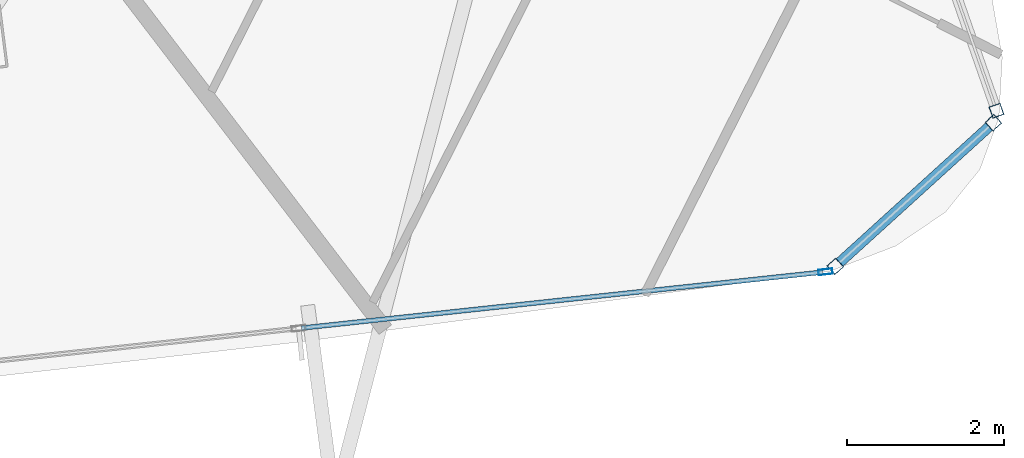
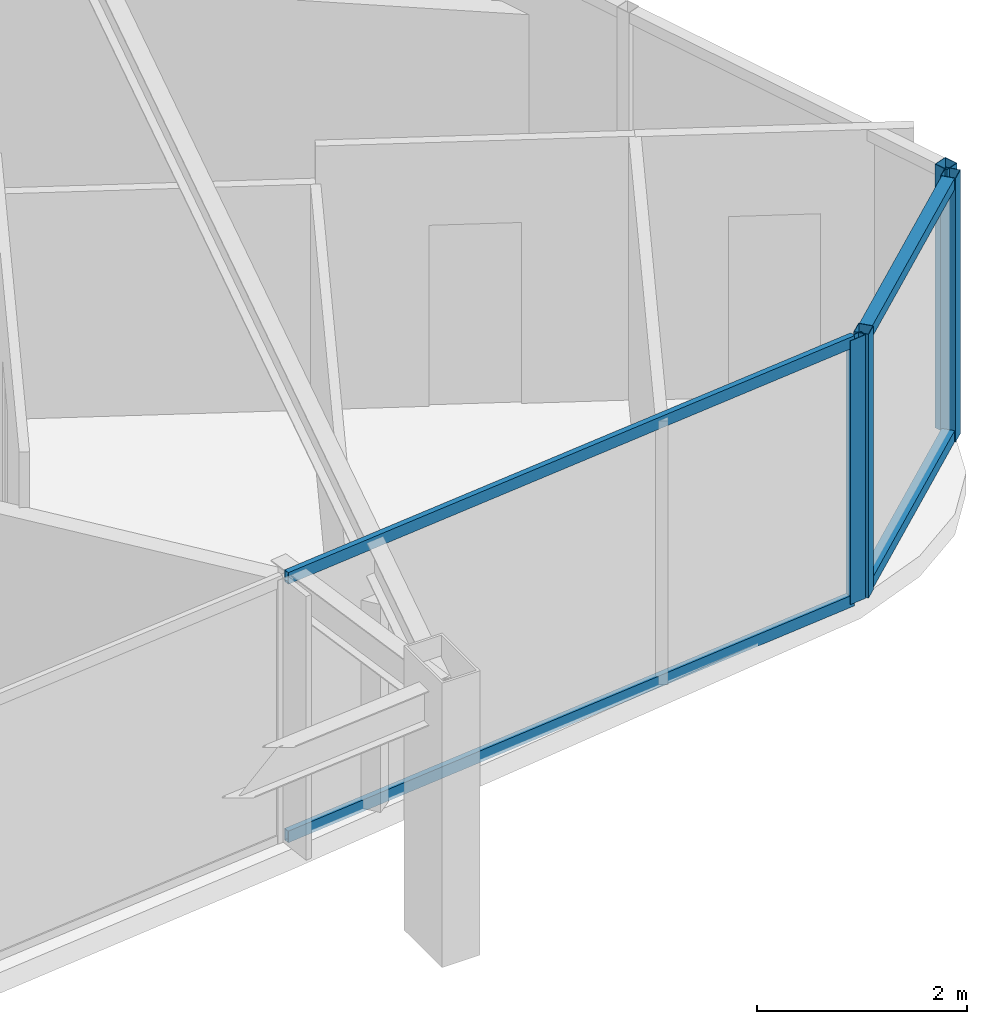
# One storey, part 15 of 35: 8 members, 3 elements without a shape of their own.
"""IFC4 building model written with IfcOpenShell, lengths in metres."""

from ifc_helpers import new_model, si_unit, direction, frame, origin, origin_2d, place, context, subcontext, project, spatial, hollow_rectangle, extrude, material, layer, layer_set, material_profile, profile_set, type_object, element, aggregate, save


model = new_model("IFC4")

# Units and contexts
model_context = context("Model", 3, precision=1e-05, world=origin(), true_north=direction((0.0, 1.0)))
body_context = subcontext(model_context, "Body", "Model", "MODEL_VIEW")
ifc_project = project(units=[si_unit("LENGTHUNIT", "METRE"), si_unit("AREAUNIT", "SQUARE_METRE"), si_unit("VOLUMEUNIT", "CUBIC_METRE"), si_unit("PLANEANGLEUNIT", "RADIAN"), si_unit("MASSUNIT", "GRAM", prefix="KILO")], contexts=[model_context])

# Site, building, storey
site_placement = place(None, origin())
site = spatial("IfcSite", under=ifc_project, at=site_placement, CompositionType="ELEMENT")
building_placement = place(site_placement, origin())
building = spatial("IfcBuilding", under=site, at=building_placement, Name="Orvanel Arch Residences", CompositionType="ELEMENT")
storey_placement = place(building_placement, frame((0.0, 0.0, 26.89990234375)))
storey = spatial("IfcBuildingStorey", under=building, at=storey_placement, Name="L06", CompositionType="ELEMENT", Elevation=26.89990234375)

# Curtain wall, members
ifc_material = material(Name="Bronze-anodised aluminium AA6063-T6", Category="aluminium")
ifc_layer_1 = layer(ifc_material, 0.18994140625)
ifc_layer_set_1 = layer_set([ifc_layer_1], Name="Bronze-anodised aluminium AA6063-T6")
curtain_wall_type_1 = type_object("IfcCurtainWallType", Name="CW5-CRN-SYS", PredefinedType="NOTDEFINED", material=ifc_layer_set_1)
curtain_wall_1_placement = place(storey_placement, origin())
curtain_wall_1 = element("IfcCurtainWall", 1, at=curtain_wall_1_placement, inside=storey, type_object=curtain_wall_type_1, Name="L06 CW5-CRN-SYS Unitised Curtain Wall", PredefinedType="NOTDEFINED")
ifc_material_profile_1 = material_profile(ifc_material, hollow_rectangle(XDim=0.14990234375, YDim=0.14990234375, WallThickness=0.0048828125, at=origin_2d()), Name="ALU150x150x5")
ifc_profile_set_1 = profile_set([ifc_material_profile_1], Name="Bronze-anodised aluminium AA6063-T6")
member_type_1 = type_object("IfcMemberType", Name="MUL-150x150", PredefinedType="MULLION", material=ifc_profile_set_1)
member_1_placement = place(storey_placement, frame((60.047607421875, 3.4384765625, 0.0), z_axis=(0.0, 0.0, 1.0), x_axis=(-0.672446964685, 0.740145309845, 0.0)))
member_1 = element("IfcMember", 2, at=member_1_placement, type_object=member_type_1, Name="CW-S5 mullion 1", PredefinedType="MULLION", context=body_context, shape_type="SweptSolid", body=[
    extrude(hollow_rectangle(XDim=0.14990234375, YDim=0.14990234375, WallThickness=0.0048828125, at=origin_2d()), origin(), (0.0, 0.0, 1.0), 3.06005859375),
])
member_2_placement = place(storey_placement, frame((62.057373046875, 5.2646484375, 0.0), z_axis=(0.0, 0.0, 1.0), x_axis=(-0.672446964685, 0.740145309845, 0.0)))
member_2 = element("IfcMember", 3, at=member_2_placement, type_object=member_type_1, Name="CW-S5 mullion 2", PredefinedType="MULLION", context=body_context, shape_type="SweptSolid", body=[
    extrude(hollow_rectangle(XDim=0.14990234375, YDim=0.14990234375, WallThickness=0.0048828125, at=origin_2d()), origin(), (0.0, 0.0, 1.0), 3.06005859375),
])

# Curtain wall, member
curtain_wall_2_placement = place(storey_placement, origin())
curtain_wall_2 = element("IfcCurtainWall", 4, at=curtain_wall_2_placement, inside=storey, type_object=curtain_wall_type_1, Name="L06 CW5-CRN-SYS Unitised Curtain Wall", PredefinedType="NOTDEFINED")
member_3_placement = place(storey_placement, frame((62.09619140625, 5.417724609375, 0.0), z_axis=(0.0, 0.0, 1.0), x_axis=(-0.943915900726, -0.330185966322, 0.0)))
member_3 = element("IfcMember", 5, at=member_3_placement, type_object=member_type_1, Name="CW-S5 mullion 1", PredefinedType="MULLION", context=body_context, shape_type="SweptSolid", body=[
    extrude(hollow_rectangle(XDim=0.14990234375, YDim=0.14990234375, WallThickness=0.0048828125, at=origin_2d()), origin(), (0.0, 0.0, 1.0), 3.06005859375),
])
aggregate(curtain_wall_2, [member_3])

ifc_layer_2 = layer(ifc_material, 0.179931640625)
ifc_layer_set_2 = layer_set([ifc_layer_2], Name="Bronze-anodised aluminium AA6063-T6")
curtain_wall_type_2 = type_object("IfcCurtainWallType", Name="CW2-LOW-SYS", PredefinedType="NOTDEFINED", material=ifc_layer_set_2)
curtain_wall_3_placement = place(storey_placement, origin())
curtain_wall_3 = element("IfcCurtainWall", 6, at=curtain_wall_3_placement, inside=storey, type_object=curtain_wall_type_2, Name="L06 CW2-LOW-SYS Unitised Curtain Wall", PredefinedType="NOTDEFINED")
ifc_material_profile_2 = material_profile(ifc_material, hollow_rectangle(XDim=0.070068359375, YDim=0.179931640625, WallThickness=0.00439453125, at=origin_2d()), Name="ALU180x70x4.5")
ifc_profile_set_2 = profile_set([ifc_material_profile_2], Name="Bronze-anodised aluminium AA6063-T6")
member_type_2 = type_object("IfcMemberType", Name="MUL-180x70", PredefinedType="MULLION", material=ifc_profile_set_2)
member_4_placement = place(storey_placement, frame((59.922119140625, 3.369384765625, 0.0), z_axis=(0.0, 0.0, 1.0), x_axis=(-0.106701765481, 0.994291070685, 0.0)))
member_4 = element("IfcMember", 7, at=member_4_placement, type_object=member_type_2, Name="CW-S2 mullion 4", PredefinedType="MULLION", context=body_context, shape_type="SweptSolid", body=[
    extrude(hollow_rectangle(XDim=0.070068359375, YDim=0.179931640625, WallThickness=0.00439453125, at=origin_2d()), origin(), (0.0, 0.0, 1.0), 3.06005859375),
])

# Member
ifc_material_profile_3 = material_profile(ifc_material, hollow_rectangle(XDim=0.1298828125, YDim=0.1298828125, WallThickness=0.00439453125, at=origin_2d()), Name="ALU130x130x4.5")
ifc_profile_set_3 = profile_set([ifc_material_profile_3], Name="Bronze-anodised aluminium AA6063-T6")
member_type_3 = type_object("IfcMemberType", Name="TRN-130x130", PredefinedType="USERDEFINED", material=ifc_profile_set_3)
member_5_placement = place(storey_placement, frame((60.10302734375, 3.48876953125, 0.065185546875), z_axis=(0.740125190983, 0.672469108341, 0.0), x_axis=(-0.672469108341, 0.740125190983, 0.0)))
member_5 = element("IfcMember", 8, at=member_5_placement, type_object=member_type_3, Name="CW-S5 transom 1.1", ObjectType="TRANSOM", PredefinedType="USERDEFINED", context=body_context, shape_type="SweptSolid", body=[
    extrude(hollow_rectangle(XDim=0.1298828125, YDim=0.1298828125, WallThickness=0.00439453125, at=origin_2d()), origin(), (0.0, 0.0, 1.0), 2.565673828125),
])

member_6_placement = place(storey_placement, frame((60.10302734375, 3.48876953125, 2.9951171875), z_axis=(0.740125190983, 0.672469108341, 0.0), x_axis=(-0.672469108341, 0.740125190983, 0.0)))
member_6 = element("IfcMember", 9, at=member_6_placement, type_object=member_type_3, Name="CW-S5 transom 1.2", ObjectType="TRANSOM", PredefinedType="USERDEFINED", context=body_context, shape_type="SweptSolid", body=[
    extrude(hollow_rectangle(XDim=0.1298828125, YDim=0.1298828125, WallThickness=0.00439453125, at=origin_2d()), origin(), (0.0, 0.0, 1.0), 2.565673828125),
])

aggregate(curtain_wall_1, [member_1, member_2, member_5, member_6])

ifc_material_profile_4 = material_profile(ifc_material, hollow_rectangle(XDim=0.06005859375, YDim=0.135009765625, WallThickness=0.00390625, at=origin_2d()), Name="ALU135x60x4")
ifc_profile_set_4 = profile_set([ifc_material_profile_4], Name="Bronze-anodised aluminium AA6063-T6")
member_type_4 = type_object("IfcMemberType", Name="TRN-135x60", PredefinedType="USERDEFINED", material=ifc_profile_set_4)
member_7_placement = place(storey_placement, frame((53.2607421875, 2.654296875, 0.030029296875), z_axis=(0.994290430162, 0.106707733967, 0.0), x_axis=(-0.106707733967, 0.994290430162, 0.0)))
member_7 = element("IfcMember", 10, at=member_7_placement, type_object=member_type_4, Name="CW-S2 transom 3.1", ObjectType="TRANSOM", PredefinedType="USERDEFINED", context=body_context, shape_type="SweptSolid", body=[
    extrude(hollow_rectangle(XDim=0.06005859375, YDim=0.135009765625, WallThickness=0.00390625, at=origin_2d()), origin(), (0.0, 0.0, 1.0), 6.664794921875),
])

member_8_placement = place(storey_placement, frame((53.2607421875, 2.654296875, 3.030029296875), z_axis=(0.994290430162, 0.106707733967, 0.0), x_axis=(-0.106707733967, 0.994290430162, 0.0)))
member_8 = element("IfcMember", 11, at=member_8_placement, type_object=member_type_4, Name="CW-S2 transom 3.2", ObjectType="TRANSOM", PredefinedType="USERDEFINED", context=body_context, shape_type="SweptSolid", body=[
    extrude(hollow_rectangle(XDim=0.06005859375, YDim=0.135009765625, WallThickness=0.00390625, at=origin_2d()), origin(), (0.0, 0.0, 1.0), 6.664794921875),
])

aggregate(curtain_wall_3, [member_4, member_7, member_8])

save(model, "model.ifc")
